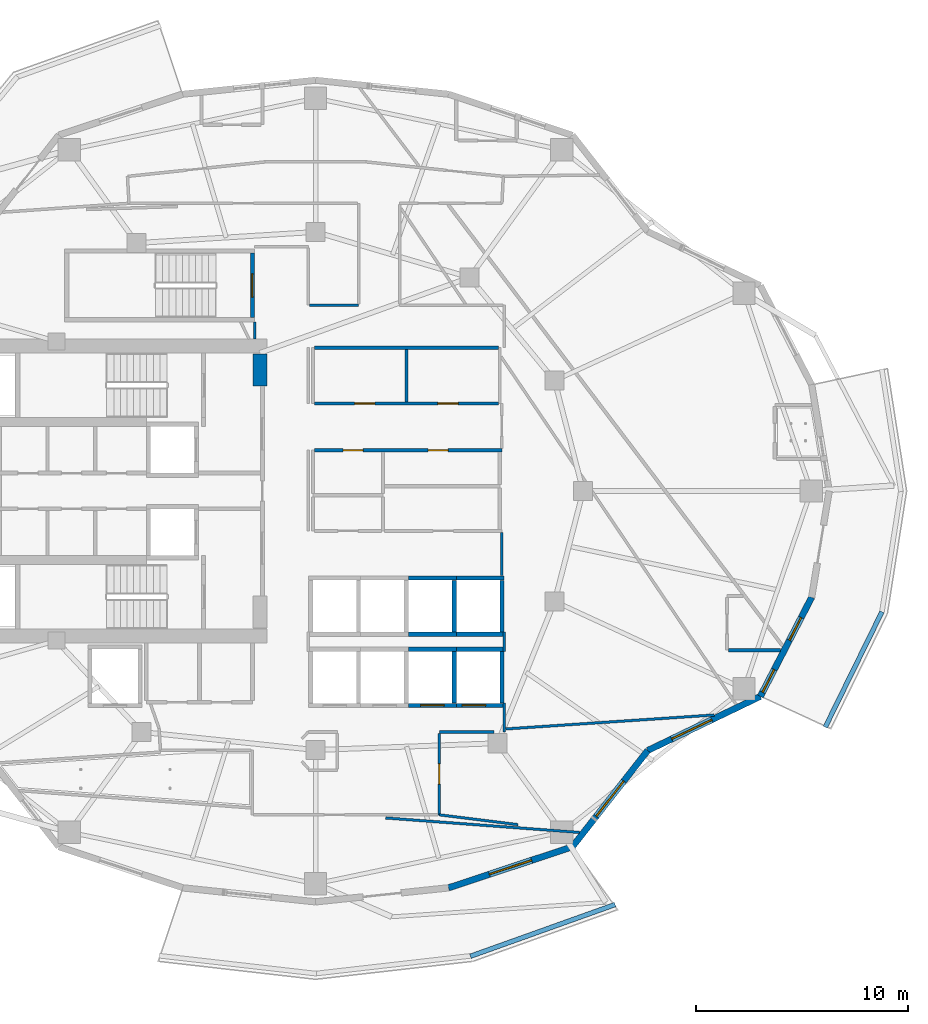
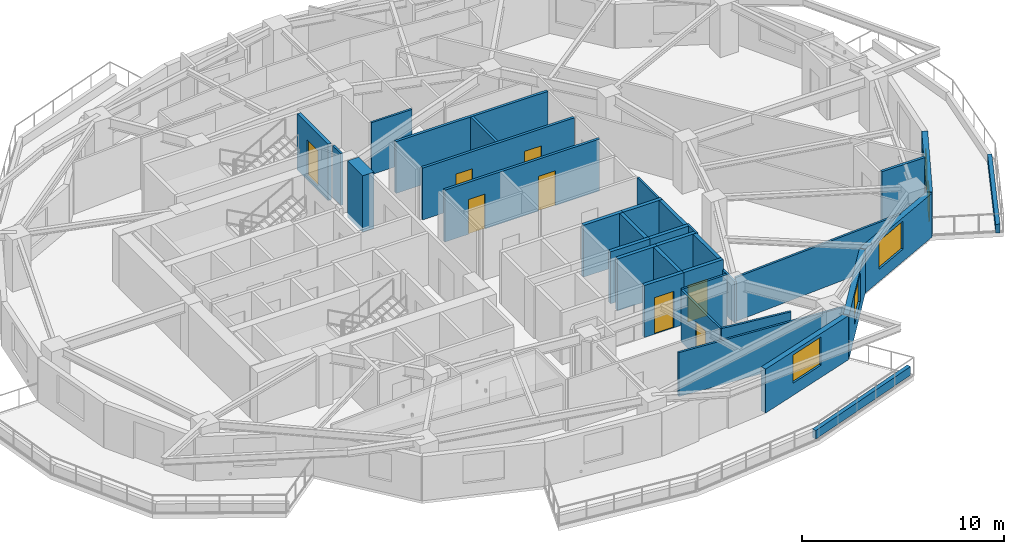
# One storey, part 5 of 17: 35 walls, 8 doors, 5 windows, 13 openings.
"""IFC4 building model written with IfcOpenShell, lengths in metres."""

from ifc_helpers import new_model, si_unit, direction, frame, frame_2d, origin, place, context, subcontext, project, spatial, rectangle, extrude, material, layer, layer_set, type_object, element, fill, save


model = new_model("IFC4")

# Units and contexts
model_context = context("Model", 3, precision=1e-05, world=origin(), true_north=direction((0.0, 1.0)))
body_context = subcontext(model_context, "Body", "Model", "MODEL_VIEW")
ifc_project = project(units=[si_unit("LENGTHUNIT", "METRE"), si_unit("AREAUNIT", "SQUARE_METRE"), si_unit("VOLUMEUNIT", "CUBIC_METRE"), si_unit("PLANEANGLEUNIT", "RADIAN"), si_unit("MASSUNIT", "GRAM", prefix="KILO")], contexts=[model_context])

# Site, building, storey
site_placement = place(None, origin())
site = spatial("IfcSite", under=ifc_project, at=site_placement, CompositionType="ELEMENT")
building_placement = place(site_placement, origin())
building = spatial("IfcBuilding", under=site, at=building_placement, Name="Kolvaren Gate Tower and Convention Centre", CompositionType="ELEMENT")
storey_placement = place(building_placement, frame((0.0, 0.0, 125.699951171875)))
storey = spatial("IfcBuildingStorey", under=building, at=storey_placement, Name="L31", CompositionType="ELEMENT", Elevation=125.699951171875)

# Walls
ifc_material_1 = material(Name="Fire-Rated Acoustic Gypsum Stud Partition", Category="gypsum")
ifc_layer_1 = layer(ifc_material_1, 0.1201171875)
ifc_layer_set_1 = layer_set([ifc_layer_1], Name="Fire-Rated Acoustic Gypsum Stud Partition")
wall_type_1 = type_object("IfcWallType", Name="ARCH-WL-PART-120", PredefinedType="PARTITIONING", material=ifc_layer_set_1)
wall_1_placement = place(storey_placement, frame((39.02001953125, 15.64990234375, 0.0), z_axis=(0.0, 0.0, 1.0), x_axis=(0.0, 1.0, 0.0)))
element("IfcWall", 1, at=wall_1_placement, inside=storey, type_object=wall_type_1, Name="Interior Partition WL-L31-INT-029", PredefinedType="PARTITIONING", context=body_context, shape_type="SweptSolid", body=[
    extrude(rectangle(XDim=1.360107421875, YDim=0.1201171875, at=frame_2d((0.68017578125, 0.0))), origin(), (0.0, 0.0, 1.0), 2.505126953125),
])
wall_2_placement = place(storey_placement, frame((39.02001953125, 19.43994140625, 0.0), z_axis=(0.0, 0.0, 1.0), x_axis=(0.0, 1.0, 0.0)))
element("IfcWall", 2, at=wall_2_placement, inside=storey, type_object=wall_type_1, Name="Interior Partition WL-L31-INT-029 (2)", PredefinedType="PARTITIONING", context=body_context, shape_type="SweptSolid", body=[
    extrude(rectangle(XDim=0.920166015625, YDim=0.1201171875, at=frame_2d((0.4599609375, 0.0))), origin(), (0.0, 0.0, 1.0), 3.130126953125),
])
wall_3_placement = place(storey_placement, frame((35.949951171875, 15.64990234375, 0.0), z_axis=(0.0, 0.0, 1.0), x_axis=(1.0, 0.0, 0.0)))
element("IfcWall", 3, at=wall_3_placement, inside=storey, type_object=wall_type_1, Name="Interior Partition WL-L31-INT-032", PredefinedType="PARTITIONING", context=body_context, shape_type="SweptSolid", body=[
    extrude(rectangle(XDim=2.568115234375, YDim=0.1201171875, at=frame_2d((1.2841796875, 0.0))), origin(), (0.0, 0.0, 1.0), 3.130126953125),
])

# Wall, opening, door
wall_4_placement = place(storey_placement, frame((35.949951171875, 11.75, 0.0), z_axis=(0.0, 0.0, 1.0), x_axis=(0.0, 1.0, 0.0)))
wall_4 = element("IfcWall", 4, at=wall_4_placement, inside=storey, type_object=wall_type_1, Name="Interior Partition WL-L31-INT-033", PredefinedType="PARTITIONING", context=body_context, shape_type="SweptSolid", body=[
    extrude(rectangle(XDim=3.837890625, YDim=0.1201171875, at=frame_2d((1.9189453125, 0.0))), origin(), (0.0, 0.0, 1.0), 3.130126953125),
])
opening_1_placement = place(wall_4_placement, frame((1.444091796875, 0.0, 0.0)))
opening_1 = element("IfcOpeningElement", 5, at=opening_1_placement, cuts=wall_4, Name="Opening DR-01", PredefinedType="OPENING", context=body_context, shape_type="SweptSolid", body=[
    extrude(rectangle(XDim=0.949951171875, YDim=2.10009765625, at=frame_2d((0.47509765625, 1.050048828125))), frame((0.0, 0.070068359375, 0.0), z_axis=(0.0, -1.0, 0.0), x_axis=(1.0, 0.0, 0.0)), (0.0, 0.0, 1.0), 0.14013671875),
])
ifc_material_2 = material(Name="Painted Architectural Steelwork ASTM A500 Grade C 345 MPa", Category="steel")
door_type_1 = type_object("IfcDoorType", Name="ARCH-DR-RISER-950", OperationType="SINGLE_SWING_RIGHT", PredefinedType="DOOR", material=ifc_material_2)
door_1_placement = place(opening_1_placement, origin())
door_1 = element("IfcDoor", 6, at=door_1_placement, inside=storey, type_object=door_type_1, Name="Executive Seminar Conference Room Door", OperationType="SINGLE_SWING_RIGHT", OverallHeight=2.10009765625, OverallWidth=0.949951171875, PredefinedType="DOOR", context=body_context, shape_type="SweptSolid", body=[
    extrude(rectangle(XDim=0.949951171875, YDim=2.10009765625, at=frame_2d((0.47509765625, 1.050048828125))), frame((0.0, 0.02490234375, 0.0), z_axis=(0.0, -1.0, 0.0), x_axis=(1.0, 0.0, 0.0)), (0.0, 0.0, 1.0), 0.050048828125),
])
fill(opening_1, door_1)

# Walls
wall_5_placement = place(storey_placement, frame((27.25, 34.152099609375, 0.0), z_axis=(0.0, 0.0, 1.0), x_axis=(0.0, 1.0, 0.0)))
element("IfcWall", 7, at=wall_5_placement, inside=storey, type_object=wall_type_1, Name="Interior Partition WL-L31-INT-039", PredefinedType="PARTITIONING", context=body_context, shape_type="SweptSolid", body=[
    extrude(rectangle(XDim=0.805908203125, YDim=0.1201171875, at=frame_2d((0.40283203125, 0.0))), origin(), (0.0, 0.0, 1.0), 3.130126953125),
])
wall_6_placement = place(storey_placement, frame((29.842041015625, 35.75, 0.0), z_axis=(0.0, 0.0, 1.0), x_axis=(1.0, 0.0, 0.0)))
element("IfcWall", 8, at=wall_6_placement, inside=storey, type_object=wall_type_1, Name="Interior Partition WL-L31-INT-045", PredefinedType="PARTITIONING", context=body_context, shape_type="SweptSolid", body=[
    extrude(rectangle(XDim=2.307861328125, YDim=0.1201171875, at=frame_2d((1.15380859375, 0.0))), origin(), (0.0, 0.0, 1.0), 3.130126953125),
])
wall_7_placement = place(storey_placement, frame((38.89990234375, 23.02001953125, 0.0), z_axis=(0.0, 0.0, 1.0), x_axis=(0.0, 1.0, 0.0)))
element("IfcWall", 9, at=wall_7_placement, inside=storey, type_object=wall_type_1, Name="Interior Partition WL-L31-INT-055", PredefinedType="PARTITIONING", context=body_context, shape_type="SweptSolid", body=[
    extrude(rectangle(XDim=2.02294921875, YDim=0.1201171875, at=frame_2d((1.011474609375, 0.0))), origin(), (0.0, 0.0, 1.0), 3.130126953125),
])
wall_8_placement = place(storey_placement, frame((39.08203125, 15.79248046875, 0.0), z_axis=(0.0, 0.0, 1.0), x_axis=(0.997763809534, 0.066838464862, 0.0)))
element("IfcWall", 10, at=wall_8_placement, inside=storey, type_object=wall_type_1, Name="Interior Partition WL-L31-INT-062", PredefinedType="PARTITIONING", context=body_context, shape_type="SweptSolid", body=[
    extrude(rectangle(XDim=9.84033203125, YDim=0.1201171875, at=frame_2d((4.920166015625, 0.0))), origin(), (0.0, 0.0, 1.0), 2.653076171875),
])
wall_9_placement = place(storey_placement, frame((33.42724609375, 11.60009765625, 0.0), z_axis=(0.0, 0.0, 1.0), x_axis=(0.997219068795, -0.074526027877, 0.0)))
element("IfcWall", 11, at=wall_9_placement, inside=storey, type_object=wall_type_1, Name="Interior Partition WL-L31-INT-064", PredefinedType="PARTITIONING", context=body_context, shape_type="SweptSolid", body=[
    extrude(rectangle(XDim=9.15283203125, YDim=0.1201171875, at=frame_2d((4.576416015625, 0.0))), origin(), (0.0, 0.0, 1.0), 2.653076171875),
])
wall_10_placement = place(storey_placement, frame((35.949951171875, 11.75, 0.0), z_axis=(0.0, 0.0, 1.0), x_axis=(0.992232627011, -0.124396197269, 0.0)))
element("IfcWall", 12, at=wall_10_placement, inside=storey, type_object=wall_type_1, Name="Interior Partition WL-L31-INT-065", PredefinedType="PARTITIONING", context=body_context, shape_type="SweptSolid", body=[
    extrude(rectangle(XDim=3.74072265625, YDim=0.1201171875, at=frame_2d((1.870361328125, 0.0))), origin(), (0.0, 0.0, 1.0), 3.130126953125),
])
ifc_material_3 = material(Name="Piedmont Cream Honed Limestone Cladding", Category="masonry")
ifc_layer_2 = layer(ifc_material_3, 0.219970703125)
ifc_layer_set_2 = layer_set([ifc_layer_2], Name="Piedmont Cream Honed Limestone Cladding")
wall_type_2 = type_object("IfcWallType", Name="ARCH-WL-PLANTER-220", PredefinedType="PARAPET", material=ifc_layer_set_2)
wall_11_placement = place(storey_placement, frame((37.4189453125, 5.08740234375, 0.0), z_axis=(0.0, 0.0, 1.0), x_axis=(0.941632697311, 0.336642040387, 0.0)))
element("IfcWall", 13, at=wall_11_placement, inside=storey, type_object=wall_type_2, Name="Vertical-Forest Balcony Stone Planter Kerb PK-L31-3.3", PredefinedType="PARAPET", context=body_context, shape_type="SweptSolid", body=[
    extrude(rectangle(XDim=7.235595703125, YDim=0.219970703125, at=frame_2d((3.61767578125, 0.0))), origin(), (0.0, 0.0, 1.0), 0.52001953125),
])
wall_12_placement = place(storey_placement, frame((54.12890625, 15.87841796875, 0.0), z_axis=(0.0, 0.0, 1.0), x_axis=(0.441269631716, 0.897374566235, 0.0)))
element("IfcWall", 14, at=wall_12_placement, inside=storey, type_object=wall_type_2, Name="Vertical-Forest Balcony Stone Planter Kerb PK-L31-4.1", PredefinedType="PARAPET", context=body_context, shape_type="SweptSolid", body=[
    extrude(rectangle(XDim=6.05615234375, YDim=0.219970703125, at=frame_2d((3.028076171875, 0.0))), origin(), (0.0, 0.0, 1.0), 0.52001953125),
])
ifc_material_4 = material(Name="Autoclaved Aerated Masonry Blockwork Class 4 (4.0 MPa)", Category="masonry")
ifc_layer_3 = layer(ifc_material_4, 0.199951171875)
ifc_layer_set_3 = layer_set([ifc_layer_3], Name="Autoclaved Aerated Masonry Blockwork Class 4 (4.0 MPa)")
wall_type_3 = type_object("IfcWallType", Name="ARCH-WL-SHAFT-200", PredefinedType="SOLIDWALL", material=ifc_layer_set_3)
wall_13_placement = place(storey_placement, frame((34.5, 19.550048828125, 0.0), z_axis=(0.0, 0.0, 1.0), x_axis=(1.0, 0.0, 0.0)))
element("IfcWall", 15, at=wall_13_placement, inside=storey, type_object=wall_type_3, Name="Elevator PL-07 L31 Fire Shaft Wall N", PredefinedType="SOLIDWALL", context=body_context, shape_type="SweptSolid", body=[
    extrude(rectangle(XDim=2.25, YDim=0.199951171875, at=frame_2d((1.125, 0.0))), origin(), (0.0, 0.0, 1.0), 3.130126953125),
])

# Wall, opening, door
wall_14_placement = place(storey_placement, frame((34.5, 16.89990234375, 0.0), z_axis=(0.0, 0.0, 1.0), x_axis=(1.0, 0.0, 0.0)))
wall_14 = element("IfcWall", 16, at=wall_14_placement, inside=storey, type_object=wall_type_3, Name="Elevator PL-07 L31 Fire Shaft Wall S", PredefinedType="SOLIDWALL", context=body_context, shape_type="SweptSolid", body=[
    extrude(rectangle(XDim=2.25, YDim=0.199951171875, at=frame_2d((1.125, 0.0))), origin(), (0.0, 0.0, 1.0), 3.130126953125),
])
opening_2_placement = place(wall_14_placement, frame((0.574951171875, 0.0, 0.0)))
opening_2 = element("IfcOpeningElement", 17, at=opening_2_placement, cuts=wall_14, Name="Opening LD", PredefinedType="OPENING", context=body_context, shape_type="SweptSolid", body=[
    extrude(rectangle(XDim=1.10009765625, YDim=2.199951171875, at=frame_2d((0.550048828125, 1.10009765625))), frame((0.0, 0.10986328125, 0.0), z_axis=(0.0, -1.0, 0.0), x_axis=(1.0, 0.0, 0.0)), (0.0, 0.0, 1.0), 0.219970703125),
])
ifc_material_5 = material(Name="Brushed Stainless Steel Grade 316L", Category="steel")
door_type_2 = type_object("IfcDoorType", Name="ARCH-DR-LIFT-1100", OperationType="SLIDING_TO_LEFT", PredefinedType="DOOR", material=ifc_material_5)
door_2_placement = place(opening_2_placement, origin())
door_2 = element("IfcDoor", 18, at=door_2_placement, inside=storey, type_object=door_type_2, Name="Elevator PL-07 L31 Sliding Landing Door", OperationType="SLIDING_TO_LEFT", OverallHeight=2.199951171875, OverallWidth=1.10009765625, PredefinedType="DOOR", context=body_context, shape_type="SweptSolid", body=[
    extrude(rectangle(XDim=1.10009765625, YDim=2.199951171875, at=frame_2d((0.550048828125, 1.10009765625))), frame((0.0, 0.02490234375, 0.0), z_axis=(0.0, -1.0, 0.0), x_axis=(1.0, 0.0, 0.0)), (0.0, 0.0, 1.0), 0.050048828125),
])
fill(opening_2, door_2)

# Walls
wall_15_placement = place(storey_placement, frame((36.64990234375, 17.010009765625, 0.0), z_axis=(0.0, 0.0, 1.0), x_axis=(0.0, 1.0, 0.0)))
element("IfcWall", 19, at=wall_15_placement, inside=storey, type_object=wall_type_3, Name="Elevator PL-07 L31 Fire Shaft Wall E", PredefinedType="SOLIDWALL", context=body_context, shape_type="SweptSolid", body=[
    extrude(rectangle(XDim=2.429931640625, YDim=0.199951171875, at=frame_2d((1.21484375, 0.0))), origin(), (0.0, 0.0, 1.0), 3.130126953125),
])
wall_16_placement = place(storey_placement, frame((36.75, 19.550048828125, 0.0), z_axis=(0.0, 0.0, 1.0), x_axis=(1.0, 0.0, 0.0)))
element("IfcWall", 20, at=wall_16_placement, inside=storey, type_object=wall_type_3, Name="Elevator PL-08 L31 Fire Shaft Wall N", PredefinedType="SOLIDWALL", context=body_context, shape_type="SweptSolid", body=[
    extrude(rectangle(XDim=2.25, YDim=0.199951171875, at=frame_2d((1.125, 0.0))), origin(), (0.0, 0.0, 1.0), 3.130126953125),
])

# Wall, opening, door
wall_17_placement = place(storey_placement, frame((36.75, 16.89990234375, 0.0), z_axis=(0.0, 0.0, 1.0), x_axis=(1.0, 0.0, 0.0)))
wall_17 = element("IfcWall", 21, at=wall_17_placement, inside=storey, type_object=wall_type_3, Name="Elevator PL-08 L31 Fire Shaft Wall S", PredefinedType="SOLIDWALL", context=body_context, shape_type="SweptSolid", body=[
    extrude(rectangle(XDim=2.25, YDim=0.199951171875, at=frame_2d((1.125, 0.0))), origin(), (0.0, 0.0, 1.0), 3.130126953125),
])
opening_3_placement = place(wall_17_placement, frame((0.280029296875, 0.0, 0.0)))
opening_3 = element("IfcOpeningElement", 22, at=opening_3_placement, cuts=wall_17, Name="Opening LD", PredefinedType="OPENING", context=body_context, shape_type="SweptSolid", body=[
    extrude(rectangle(XDim=1.10009765625, YDim=2.199951171875, at=frame_2d((0.550048828125, 1.10009765625))), frame((0.0, 0.10986328125, 0.0), z_axis=(0.0, -1.0, 0.0), x_axis=(1.0, 0.0, 0.0)), (0.0, 0.0, 1.0), 0.219970703125),
])
door_3_placement = place(opening_3_placement, origin())
door_3 = element("IfcDoor", 23, at=door_3_placement, inside=storey, type_object=door_type_2, Name="Elevator PL-08 L31 Sliding Landing Door", OperationType="SLIDING_TO_LEFT", OverallHeight=2.199951171875, OverallWidth=1.10009765625, PredefinedType="DOOR", context=body_context, shape_type="SweptSolid", body=[
    extrude(rectangle(XDim=1.10009765625, YDim=2.199951171875, at=frame_2d((0.550048828125, 1.10009765625))), frame((0.0, 0.02490234375, 0.0), z_axis=(0.0, -1.0, 0.0), x_axis=(1.0, 0.0, 0.0)), (0.0, 0.0, 1.0), 0.050048828125),
])
fill(opening_3, door_3)

# Walls
wall_18_placement = place(storey_placement, frame((38.89990234375, 17.010009765625, 0.0), z_axis=(0.0, 0.0, 1.0), x_axis=(0.0, 1.0, 0.0)))
element("IfcWall", 24, at=wall_18_placement, inside=storey, type_object=wall_type_3, Name="Elevator PL-08 L31 Fire Shaft Wall E", PredefinedType="SOLIDWALL", context=body_context, shape_type="SweptSolid", body=[
    extrude(rectangle(XDim=2.429931640625, YDim=0.199951171875, at=frame_2d((1.21484375, 0.0))), origin(), (0.0, 0.0, 1.0), 3.130126953125),
])
for number, where, z_axis, x_axis, name in (
    (25, (34.5, 22.89990234375, 0.0), (0.0, 0.0, 1.0), (1.0, 0.0, 0.0), "Elevator PL-11 L31 Fire Shaft Wall N"),
    (26, (34.5, 20.25, 0.0), (0.0, 0.0, 1.0), (1.0, 0.0, 0.0), "Elevator PL-11 L31 Fire Shaft Wall S"),
):
    element("IfcWall", number, at=place(storey_placement, frame(where, z_axis=z_axis, x_axis=x_axis)), inside=storey, type_object=wall_type_3, Name=name, PredefinedType="SOLIDWALL", context=body_context, shape_type="SweptSolid", body=[
        extrude(rectangle(XDim=2.25, YDim=0.199951171875, at=frame_2d((1.125, 0.0))), origin(), (0.0, 0.0, 1.0), 3.130126953125),
    ])
wall_19_placement = place(storey_placement, frame((36.64990234375, 20.360107421875, 0.0), z_axis=(0.0, 0.0, 1.0), x_axis=(0.0, 1.0, 0.0)))
element("IfcWall", 27, at=wall_19_placement, inside=storey, type_object=wall_type_3, Name="Elevator PL-11 L31 Fire Shaft Wall E", PredefinedType="SOLIDWALL", context=body_context, shape_type="SweptSolid", body=[
    extrude(rectangle(XDim=2.429931640625, YDim=0.199951171875, at=frame_2d((1.21484375, 0.0))), origin(), (0.0, 0.0, 1.0), 3.130126953125),
])
for number, where, z_axis, x_axis, name in (
    (28, (36.75, 22.89990234375, 0.0), (0.0, 0.0, 1.0), (1.0, 0.0, 0.0), "Elevator PL-12 L31 Fire Shaft Wall N"),
    (29, (36.75, 20.25, 0.0), (0.0, 0.0, 1.0), (1.0, 0.0, 0.0), "Elevator PL-12 L31 Fire Shaft Wall S"),
):
    element("IfcWall", number, at=place(storey_placement, frame(where, z_axis=z_axis, x_axis=x_axis)), inside=storey, type_object=wall_type_3, Name=name, PredefinedType="SOLIDWALL", context=body_context, shape_type="SweptSolid", body=[
        extrude(rectangle(XDim=2.25, YDim=0.199951171875, at=frame_2d((1.125, 0.0))), origin(), (0.0, 0.0, 1.0), 3.130126953125),
    ])
wall_20_placement = place(storey_placement, frame((38.89990234375, 20.360107421875, 0.0), z_axis=(0.0, 0.0, 1.0), x_axis=(0.0, 1.0, 0.0)))
element("IfcWall", 30, at=wall_20_placement, inside=storey, type_object=wall_type_3, Name="Elevator PL-12 L31 Fire Shaft Wall E", PredefinedType="SOLIDWALL", context=body_context, shape_type="SweptSolid", body=[
    extrude(rectangle(XDim=2.429931640625, YDim=0.199951171875, at=frame_2d((1.21484375, 0.0))), origin(), (0.0, 0.0, 1.0), 3.130126953125),
])

# Wall, opening, window
ifc_layer_4 = layer(ifc_material_3, 0.300048828125)
ifc_layer_set_4 = layer_set([ifc_layer_4], Name="Piedmont Cream Honed Limestone Cladding")
wall_type_4 = type_object("IfcWallType", Name="ARCH-WL-STONE-300", PredefinedType="SOLIDWALL", material=ifc_layer_set_4)
wall_21_placement = place(storey_placement, frame((36.38525390625, 8.309326171875, 0.0), z_axis=(0.0, 0.0, 1.0), x_axis=(0.949238009374, 0.314558741032, 0.0)))
wall_21 = element("IfcWall", 31, at=wall_21_placement, inside=storey, type_object=wall_type_4, Name="Tower L31 Honed Stone Spandrel Wall EW-19", PredefinedType="SOLIDWALL", context=body_context, shape_type="SweptSolid", body=[
    extrude(rectangle(XDim=6.1455078125, YDim=0.300048828125, at=frame_2d((3.07275390625, 0.0))), origin(), (0.0, 0.0, 1.0), 2.653076171875),
])
opening_4_placement = place(wall_21_placement, frame((2.02294921875, 0.0, 0.739990234375)))
opening_4 = element("IfcOpeningElement", 32, at=opening_4_placement, cuts=wall_21, Name="Opening W-02", PredefinedType="OPENING", context=body_context, shape_type="SweptSolid", body=[
    extrude(rectangle(XDim=2.10009765625, YDim=1.699951171875, at=frame_2d((1.050048828125, 0.85009765625))), frame((0.0, 0.159912109375, 0.0), z_axis=(0.0, -1.0, 0.0), x_axis=(1.0, 0.0, 0.0)), (0.0, 0.0, 1.0), 0.320068359375),
])
ifc_material_6 = material(Name="Low-E Triple Insulated Glazing Unit 44 mm", Category="glass")
window_type_1 = type_object("IfcWindowType", Name="ARCH-WN-HTL-2100", PartitioningType="SINGLE_PANEL", PredefinedType="WINDOW", material=ifc_material_6)
window_1_placement = place(opening_4_placement, origin())
window_1 = element("IfcWindow", 33, at=window_1_placement, inside=storey, type_object=window_type_1, Name="Tower L31 Punched Stone Facade Window W-19", OverallHeight=1.699951171875, OverallWidth=2.10009765625, PartitioningType="SINGLE_PANEL", PredefinedType="WINDOW", context=body_context, shape_type="SweptSolid", body=[
    extrude(rectangle(XDim=2.10009765625, YDim=1.699951171875, at=frame_2d((1.050048828125, 0.85009765625))), frame((0.0, 0.030029296875, 0.0), z_axis=(0.0, -1.0, 0.0), x_axis=(1.0, 0.0, 0.0)), (0.0, 0.0, 1.0), 0.06005859375),
])
fill(opening_4, window_1)

wall_22_placement = place(storey_placement, frame((42.21875, 10.242431640625, 0.0), z_axis=(0.0, 0.0, 1.0), x_axis=(0.616435134162, 0.787405693001, 0.0)))
wall_22 = element("IfcWall", 34, at=wall_22_placement, inside=storey, type_object=wall_type_4, Name="Tower L31 Honed Stone Spandrel Wall EW-20", PredefinedType="SOLIDWALL", context=body_context, shape_type="SweptSolid", body=[
    extrude(rectangle(XDim=5.759033203125, YDim=0.300048828125, at=frame_2d((2.87939453125, 0.0))), origin(), (0.0, 0.0, 1.0), 2.653076171875),
])
opening_5_placement = place(wall_22_placement, frame((1.8291015625, 0.0, 0.739990234375)))
opening_5 = element("IfcOpeningElement", 35, at=opening_5_placement, cuts=wall_22, Name="Opening W-02", PredefinedType="OPENING", context=body_context, shape_type="SweptSolid", body=[
    extrude(rectangle(XDim=2.10009765625, YDim=1.699951171875, at=frame_2d((1.050048828125, 0.85009765625))), frame((0.0, 0.159912109375, 0.0), z_axis=(0.0, -1.0, 0.0), x_axis=(1.0, 0.0, 0.0)), (0.0, 0.0, 1.0), 0.320068359375),
])
window_2_placement = place(opening_5_placement, origin())
window_2 = element("IfcWindow", 36, at=window_2_placement, inside=storey, type_object=window_type_1, Name="Tower L31 Punched Stone Facade Window W-20", OverallHeight=1.699951171875, OverallWidth=2.10009765625, PartitioningType="SINGLE_PANEL", PredefinedType="WINDOW", context=body_context, shape_type="SweptSolid", body=[
    extrude(rectangle(XDim=2.10009765625, YDim=1.699951171875, at=frame_2d((1.050048828125, 0.85009765625))), frame((0.0, 0.030029296875, 0.0), z_axis=(0.0, -1.0, 0.0), x_axis=(1.0, 0.0, 0.0)), (0.0, 0.0, 1.0), 0.06005859375),
])
fill(opening_5, window_2)

wall_23_placement = place(storey_placement, frame((45.768798828125, 14.777099609375, 0.0), z_axis=(0.0, 0.0, 1.0), x_axis=(0.901370184739, 0.433049408339, 0.0)))
wall_23 = element("IfcWall", 37, at=wall_23_placement, inside=storey, type_object=wall_type_4, Name="Tower L31 Honed Stone Spandrel Wall EW-21", PredefinedType="SOLIDWALL", context=body_context, shape_type="SweptSolid", body=[
    extrude(rectangle(XDim=5.883544921875, YDim=0.300048828125, at=frame_2d((2.94189453125, 0.0))), origin(), (0.0, 0.0, 1.0), 2.653076171875),
])
opening_6_placement = place(wall_23_placement, frame((1.25, 0.0, 0.739990234375)))
opening_6 = element("IfcOpeningElement", 38, at=opening_6_placement, cuts=wall_23, Name="Opening W-02", PredefinedType="OPENING", context=body_context, shape_type="SweptSolid", body=[
    extrude(rectangle(XDim=2.10009765625, YDim=1.699951171875, at=frame_2d((1.050048828125, 0.85009765625))), frame((0.0, 0.159912109375, 0.0), z_axis=(0.0, -1.0, 0.0), x_axis=(1.0, 0.0, 0.0)), (0.0, 0.0, 1.0), 0.320068359375),
])
window_3_placement = place(opening_6_placement, origin())
window_3 = element("IfcWindow", 39, at=window_3_placement, inside=storey, type_object=window_type_1, Name="Tower L31 Punched Stone Facade Window W-21", OverallHeight=1.699951171875, OverallWidth=2.10009765625, PartitioningType="SINGLE_PANEL", PredefinedType="WINDOW", context=body_context, shape_type="SweptSolid", body=[
    extrude(rectangle(XDim=2.10009765625, YDim=1.699951171875, at=frame_2d((1.050048828125, 0.85009765625))), frame((0.0, 0.030029296875, 0.0), z_axis=(0.0, -1.0, 0.0), x_axis=(1.0, 0.0, 0.0)), (0.0, 0.0, 1.0), 0.06005859375),
])
fill(opening_6, window_3)

# Wall, openings, windows
wall_24_placement = place(storey_placement, frame((51.072021484375, 17.324951171875, 0.0), z_axis=(0.0, 0.0, 1.0), x_axis=(0.459767899643, 0.888039119892, 0.0)))
wall_24 = element("IfcWall", 40, at=wall_24_placement, inside=storey, type_object=wall_type_4, Name="Tower L31 Honed Stone Spandrel Wall EW-22", PredefinedType="SOLIDWALL", context=body_context, shape_type="SweptSolid", body=[
    extrude(rectangle(XDim=5.25537109375, YDim=0.300048828125, at=frame_2d((2.627685546875, 0.0))), origin(), (0.0, 0.0, 1.0), 2.653076171875),
])
opening_7_placement = place(wall_24_placement, frame((2.97998046875, 0.0, 0.719970703125)))
opening_7 = element("IfcOpeningElement", 41, at=opening_7_placement, cuts=wall_24, Name="Opening W-04", PredefinedType="OPENING", context=body_context, shape_type="SweptSolid", body=[
    extrude(rectangle(XDim=1.199951171875, YDim=1.64990234375, at=frame_2d((0.60009765625, 0.824951171875))), frame((0.0, 0.159912109375, 0.0), z_axis=(0.0, -1.0, 0.0), x_axis=(1.0, 0.0, 0.0)), (0.0, 0.0, 1.0), 0.320068359375),
])
opening_8_placement = place(wall_24_placement, frame((0.219970703125, 0.0, 0.719970703125)))
opening_8 = element("IfcOpeningElement", 42, at=opening_8_placement, cuts=wall_24, Name="Opening W-04", PredefinedType="OPENING", context=body_context, shape_type="SweptSolid", body=[
    extrude(rectangle(XDim=1.199951171875, YDim=1.64990234375, at=frame_2d((0.60009765625, 0.824951171875))), frame((0.0, 0.159912109375, 0.0), z_axis=(0.0, -1.0, 0.0), x_axis=(1.0, 0.0, 0.0)), (0.0, 0.0, 1.0), 0.320068359375),
])
window_type_2 = type_object("IfcWindowType", Name="ARCH-WN-NARROW-1200", PartitioningType="SINGLE_PANEL", PredefinedType="WINDOW", material=ifc_material_6)
window_4_placement = place(opening_7_placement, origin())
window_4 = element("IfcWindow", 43, at=window_4_placement, inside=storey, type_object=window_type_2, Name="Tower L31 Punched Stone Facade Window W-22", OverallHeight=1.64990234375, OverallWidth=1.199951171875, PartitioningType="SINGLE_PANEL", PredefinedType="WINDOW", context=body_context, shape_type="SweptSolid", body=[
    extrude(rectangle(XDim=1.199951171875, YDim=1.64990234375, at=frame_2d((0.60009765625, 0.824951171875))), frame((0.0, 0.030029296875, 0.0), z_axis=(0.0, -1.0, 0.0), x_axis=(1.0, 0.0, 0.0)), (0.0, 0.0, 1.0), 0.06005859375),
])
fill(opening_7, window_4)
window_5_placement = place(opening_8_placement, origin())
window_5 = element("IfcWindow", 44, at=window_5_placement, inside=storey, type_object=window_type_2, Name="Tower L31 Dwelling Daylight Window DW-01", OverallHeight=1.64990234375, OverallWidth=1.199951171875, PartitioningType="SINGLE_PANEL", PredefinedType="WINDOW", context=body_context, shape_type="SweptSolid", body=[
    extrude(rectangle(XDim=1.199951171875, YDim=1.64990234375, at=frame_2d((0.60009765625, 0.824951171875))), frame((0.0, 0.030029296875, 0.0), z_axis=(0.0, -1.0, 0.0), x_axis=(1.0, 0.0, 0.0)), (0.0, 0.0, 1.0), 0.06005859375),
])
fill(opening_8, window_5)

# Wall, openings, doors
ifc_material_7 = material(Name="Moisture-Resistant Cement-Board Acoustic Partition", Category="gypsum")
ifc_layer_5 = layer(ifc_material_7, 0.14990234375)
ifc_layer_set_5 = layer_set([ifc_layer_5], Name="Moisture-Resistant Cement-Board Acoustic Partition")
wall_type_5 = type_object("IfcWallType", Name="ARCH-WL-WET-150", PredefinedType="PARTITIONING", material=ifc_layer_set_5)
wall_25_placement = place(storey_placement, frame((30.076904296875, 28.919921875, 0.0), z_axis=(0.0, 0.0, 1.0), x_axis=(1.0, 0.0, 0.0)))
wall_25 = element("IfcWall", 45, at=wall_25_placement, inside=storey, type_object=wall_type_5, Name="Interior Partition WL-L31-INT-020", PredefinedType="PARTITIONING", context=body_context, shape_type="SweptSolid", body=[
    extrude(rectangle(XDim=8.822998046875, YDim=0.14990234375, at=frame_2d((4.41162109375, 0.0))), origin(), (0.0, 0.0, 1.0), 3.130126953125),
])
opening_9_placement = place(wall_25_placement, frame((1.341552734375, 0.0, 0.0)))
opening_9 = element("IfcOpeningElement", 46, at=opening_9_placement, cuts=wall_25, Name="Opening DR-01", PredefinedType="OPENING", context=body_context, shape_type="SweptSolid", body=[
    extrude(rectangle(XDim=0.949951171875, YDim=2.10009765625, at=frame_2d((0.47509765625, 1.050048828125))), frame((0.0, 0.0849609375, 0.0), z_axis=(0.0, -1.0, 0.0), x_axis=(1.0, 0.0, 0.0)), (0.0, 0.0, 1.0), 0.169921875),
])
opening_10_placement = place(wall_25_placement, frame((5.343017578125, 0.0, 0.0)))
opening_10 = element("IfcOpeningElement", 47, at=opening_10_placement, cuts=wall_25, Name="Opening DR-01", PredefinedType="OPENING", context=body_context, shape_type="SweptSolid", body=[
    extrude(rectangle(XDim=0.949951171875, YDim=2.10009765625, at=frame_2d((0.47509765625, 1.050048828125))), frame((0.0, 0.0849609375, 0.0), z_axis=(0.0, -1.0, 0.0), x_axis=(1.0, 0.0, 0.0)), (0.0, 0.0, 1.0), 0.169921875),
])
door_4_placement = place(opening_9_placement, origin())
door_4 = element("IfcDoor", 48, at=door_4_placement, inside=storey, type_object=door_type_1, Name="Accessible North Washroom Door", OperationType="SINGLE_SWING_RIGHT", OverallHeight=2.10009765625, OverallWidth=0.949951171875, PredefinedType="DOOR", context=body_context, shape_type="SweptSolid", body=[
    extrude(rectangle(XDim=0.949951171875, YDim=2.10009765625, at=frame_2d((0.47509765625, 1.050048828125))), frame((0.0, 0.02490234375, 0.0), z_axis=(0.0, -1.0, 0.0), x_axis=(1.0, 0.0, 0.0)), (0.0, 0.0, 1.0), 0.050048828125),
])
fill(opening_9, door_4)
door_5_placement = place(opening_10_placement, origin())
door_5 = element("IfcDoor", 49, at=door_5_placement, inside=storey, type_object=door_type_1, Name="Hotel Housekeeping and Linen Store Door", OperationType="SINGLE_SWING_RIGHT", OverallHeight=2.10009765625, OverallWidth=0.949951171875, PredefinedType="DOOR", context=body_context, shape_type="SweptSolid", body=[
    extrude(rectangle(XDim=0.949951171875, YDim=2.10009765625, at=frame_2d((0.47509765625, 1.050048828125))), frame((0.0, 0.02490234375, 0.0), z_axis=(0.0, -1.0, 0.0), x_axis=(1.0, 0.0, 0.0)), (0.0, 0.0, 1.0), 0.050048828125),
])
fill(opening_10, door_5)

wall_26_placement = place(storey_placement, frame((30.076904296875, 31.1201171875, 0.0), z_axis=(0.0, 0.0, 1.0), x_axis=(1.0, 0.0, 0.0)))
wall_26 = element("IfcWall", 50, at=wall_26_placement, inside=storey, type_object=wall_type_5, Name="Interior Partition WL-L31-INT-026", PredefinedType="PARTITIONING", context=body_context, shape_type="SweptSolid", body=[
    extrude(rectangle(XDim=8.6611328125, YDim=0.14990234375, at=frame_2d((4.33056640625, 0.0))), origin(), (0.0, 0.0, 1.0), 3.130126953125),
])
opening_11_placement = place(wall_26_placement, frame((1.8916015625, 0.0, 0.0)))
opening_11 = element("IfcOpeningElement", 51, at=opening_11_placement, cuts=wall_26, Name="Opening DR-01", PredefinedType="OPENING", context=body_context, shape_type="SweptSolid", body=[
    extrude(rectangle(XDim=0.949951171875, YDim=2.10009765625, at=frame_2d((0.47509765625, 1.050048828125))), frame((0.0, 0.0849609375, 0.0), z_axis=(0.0, -1.0, 0.0), x_axis=(1.0, 0.0, 0.0)), (0.0, 0.0, 1.0), 0.169921875),
])
opening_12_placement = place(wall_26_placement, frame((5.81201171875, 0.0, 0.0)))
opening_12 = element("IfcOpeningElement", 52, at=opening_12_placement, cuts=wall_26, Name="Opening DR-01", PredefinedType="OPENING", context=body_context, shape_type="SweptSolid", body=[
    extrude(rectangle(XDim=0.949951171875, YDim=2.10009765625, at=frame_2d((0.47509765625, 1.050048828125))), frame((0.0, 0.0849609375, 0.0), z_axis=(0.0, -1.0, 0.0), x_axis=(1.0, 0.0, 0.0)), (0.0, 0.0, 1.0), 0.169921875),
])
door_6_placement = place(opening_11_placement, origin())
door_6 = element("IfcDoor", 53, at=door_6_placement, inside=storey, type_object=door_type_1, Name="Valet and Linen Store Door", OperationType="SINGLE_SWING_RIGHT", OverallHeight=2.10009765625, OverallWidth=0.949951171875, PredefinedType="DOOR", context=body_context, shape_type="SweptSolid", body=[
    extrude(rectangle(XDim=0.949951171875, YDim=2.10009765625, at=frame_2d((0.47509765625, 1.050048828125))), frame((0.0, 0.02490234375, 0.0), z_axis=(0.0, -1.0, 0.0), x_axis=(1.0, 0.0, 0.0)), (0.0, 0.0, 1.0), 0.050048828125),
])
fill(opening_11, door_6)
door_7_placement = place(opening_12_placement, origin())
door_7 = element("IfcDoor", 54, at=door_7_placement, inside=storey, type_object=door_type_1, Name="Ice and Beverage Pantry Door", OperationType="SINGLE_SWING_LEFT", OverallHeight=2.10009765625, OverallWidth=0.949951171875, PredefinedType="DOOR", context=body_context, shape_type="SweptSolid", body=[
    extrude(rectangle(XDim=0.949951171875, YDim=2.10009765625, at=frame_2d((0.47509765625, 1.050048828125))), frame((0.0, 0.02490234375, 0.0), z_axis=(0.0, -1.0, 0.0), x_axis=(1.0, 0.0, 0.0)), (0.0, 0.0, 1.0), 0.050048828125),
])
fill(opening_12, door_7)

# Walls
wall_27_placement = place(storey_placement, frame((30.076904296875, 33.75, 0.0), z_axis=(0.0, 0.0, 1.0), x_axis=(1.0, 0.0, 0.0)))
element("IfcWall", 55, at=wall_27_placement, inside=storey, type_object=wall_type_5, Name="Interior Partition WL-L31-INT-027", PredefinedType="PARTITIONING", context=body_context, shape_type="SweptSolid", body=[
    extrude(rectangle(XDim=8.6611328125, YDim=0.14990234375, at=frame_2d((4.33056640625, 0.0))), origin(), (0.0, 0.0, 1.0), 3.130126953125),
])
wall_28_placement = place(storey_placement, frame((34.39990234375, 31.197021484375, 0.0), z_axis=(0.0, 0.0, 1.0), x_axis=(0.0, 1.0, 0.0)))
element("IfcWall", 56, at=wall_28_placement, inside=storey, type_object=wall_type_5, Name="Interior Partition WL-L31-INT-028", PredefinedType="PARTITIONING", context=body_context, shape_type="SweptSolid", body=[
    extrude(rectangle(XDim=2.47607421875, YDim=0.14990234375, at=frame_2d((1.238037109375, 0.0))), origin(), (0.0, 0.0, 1.0), 3.130126953125),
])
wall_29_placement = place(storey_placement, frame((49.576904296875, 19.5, 0.0), z_axis=(0.0, 0.0, 1.0), x_axis=(1.0, 0.0, 0.0)))
element("IfcWall", 57, at=wall_29_placement, inside=storey, type_object=wall_type_5, Name="Interior Partition WL-L31-INT-072", PredefinedType="PARTITIONING", context=body_context, shape_type="SweptSolid", body=[
    extrude(rectangle(XDim=2.449951171875, YDim=0.14990234375, at=frame_2d((1.22509765625, 0.0))), origin(), (0.0, 0.0, 1.0), 3.130126953125),
])
ifc_material_8 = material(Name="Concrete C60/75", Category="concrete")
ifc_layer_6 = layer(ifc_material_8, 0.64990234375)
ifc_layer_set_6 = layer_set([ifc_layer_6], Name="Concrete C60/75")
wall_type_6 = type_object("IfcWallType", Name="STR-WL-CORE-650", PredefinedType="SHEAR", material=ifc_layer_set_6)
wall_30_placement = place(storey_placement, frame((27.5, 31.949951171875, -0.27001953125), z_axis=(0.0, 0.0, 1.0), x_axis=(0.0, 1.0, 0.0)))
element("IfcWall", 58, at=wall_30_placement, inside=storey, type_object=wall_type_6, Name="Tower L31 Offset Core Shear Wall EN", PredefinedType="SHEAR", context=body_context, shape_type="SweptSolid", body=[
    extrude(rectangle(XDim=1.5, YDim=0.64990234375, at=frame_2d((0.75, 0.0))), origin(), (0.0, 0.0, 1.0), 3.400146484375),
])

# Wall, opening, door
ifc_material_9 = material(Name="Concrete C50/60", Category="concrete")
ifc_layer_7 = layer(ifc_material_9, 0.199951171875)
ifc_layer_set_7 = layer_set([ifc_layer_7], Name="Concrete C50/60")
wall_type_7 = type_object("IfcWallType", Name="STR-WL-SHAFT-200", PredefinedType="SHEAR", material=ifc_layer_set_7)
wall_31_placement = place(storey_placement, frame((27.14990234375, 35.159912109375, -0.27001953125), z_axis=(0.0, 0.0, 1.0), x_axis=(0.0, 1.0, 0.0)))
wall_31 = element("IfcWall", 59, at=wall_31_placement, inside=storey, type_object=wall_type_7, Name="Tower Mid-Zone Exit Stair ST-T3 L31 Structural Shear Enclosure Wall NEAR", PredefinedType="SHEAR", context=body_context, shape_type="SweptSolid", body=[
    extrude(rectangle(XDim=3.0400390625, YDim=0.199951171875, at=frame_2d((1.52001953125, 0.0))), origin(), (0.0, 0.0, 1.0), 3.400146484375),
])
opening_13_placement = place(wall_31_placement, frame((0.969970703125, 0.0, 0.27001953125)))
opening_13 = element("IfcOpeningElement", 60, at=opening_13_placement, cuts=wall_31, Name="Opening DS-01", PredefinedType="OPENING", context=body_context, shape_type="SweptSolid", body=[
    extrude(rectangle(XDim=1.10009765625, YDim=2.14990234375, at=frame_2d((0.550048828125, 1.074951171875))), frame((0.0, 0.10986328125, 0.0), z_axis=(0.0, -1.0, 0.0), x_axis=(1.0, 0.0, 0.0)), (0.0, 0.0, 1.0), 0.219970703125),
])
door_type_3 = type_object("IfcDoorType", Name="ARCH-DR-STAIR-1100", OperationType="SINGLE_SWING_LEFT", PredefinedType="DOOR", material=ifc_material_2)
door_8_placement = place(opening_13_placement, origin())
door_8 = element("IfcDoor", 61, at=door_8_placement, inside=storey, type_object=door_type_3, Name="Tower Mid-Zone Exit Stair ST-T3 L31 Fire Exit Stair Door", OperationType="SINGLE_SWING_LEFT", OverallHeight=2.14990234375, OverallWidth=1.10009765625, PredefinedType="DOOR", context=body_context, shape_type="SweptSolid", body=[
    extrude(rectangle(XDim=1.10009765625, YDim=2.14990234375, at=frame_2d((0.550048828125, 1.074951171875))), frame((0.0, 0.02490234375, 0.0), z_axis=(0.0, -1.0, 0.0), x_axis=(1.0, 0.0, 0.0)), (0.0, 0.0, 1.0), 0.050048828125),
])
fill(opening_13, door_8)

save(model, "model.ifc")
